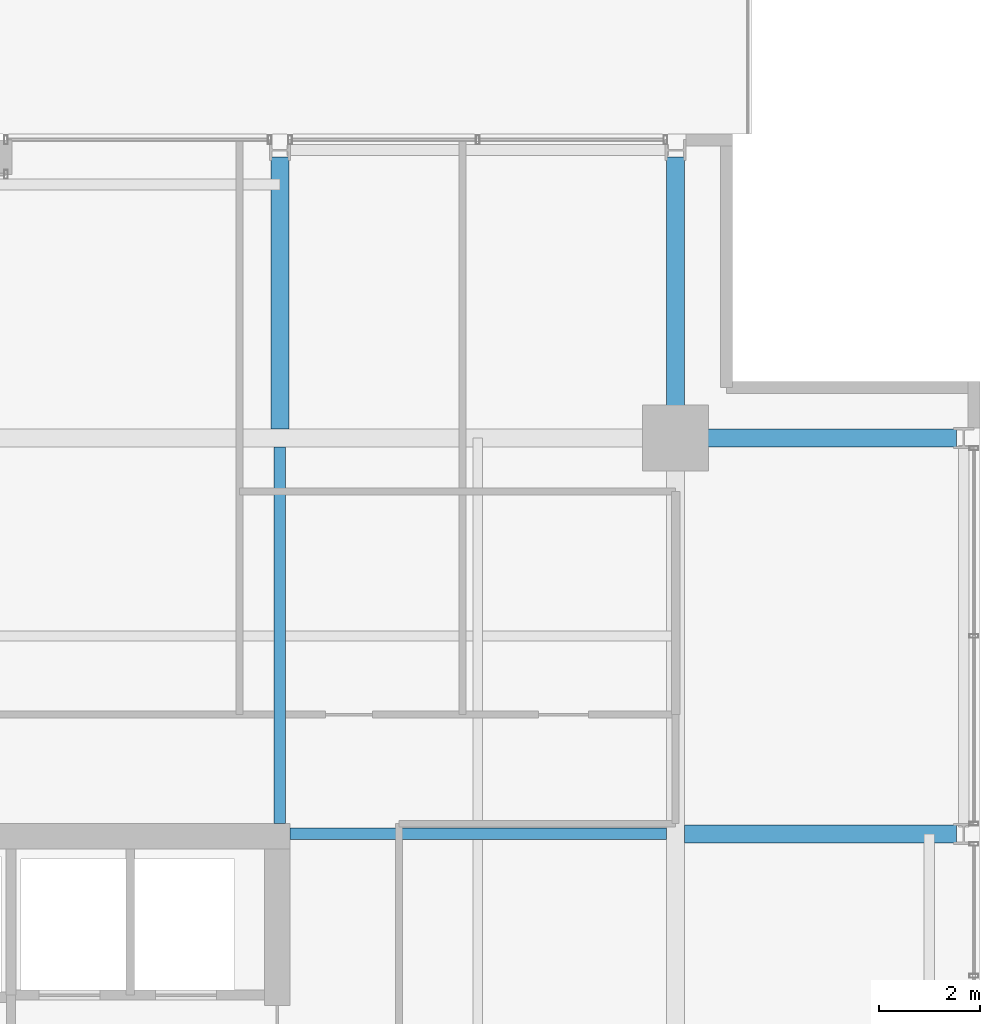
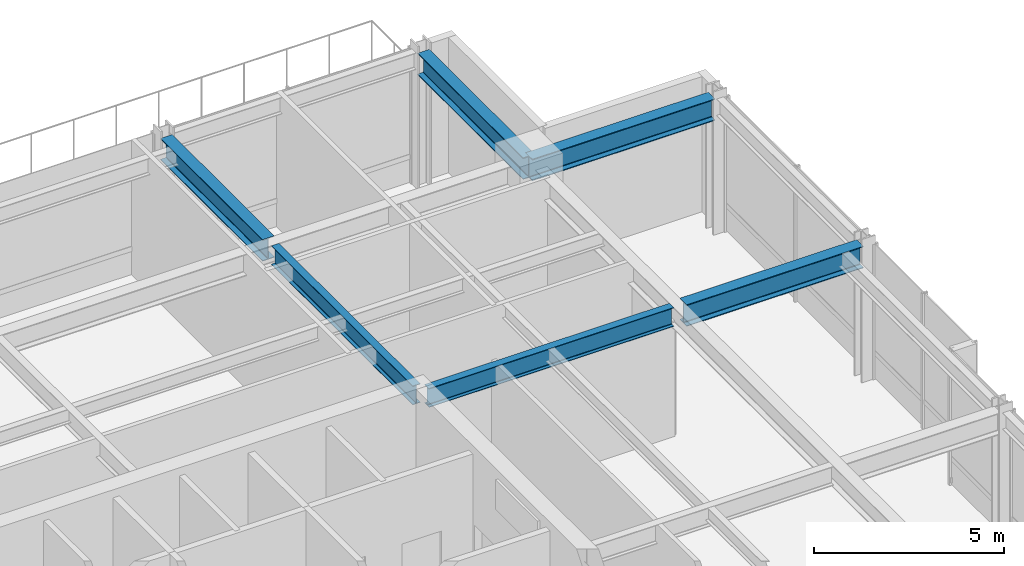
# One storey, part 23 of 32: 6 beams.
"""IFC4 building model written with IfcOpenShell, lengths in metres."""

import ifcopenshell
import ifcopenshell.guid

model = None  # the IFC model being written
_history = None  # IfcOwnerHistory: only IFC2X3 demands one
_inside = {}  # id of a spatial element -> (the spatial element, [elements in it])
_under = {}  # id of a project, library or spatial element -> (it, [spatial elements below it])
_declared = {}  # id of a project -> (the project, [libraries it declares])
_typed = {}  # id of a type object -> (the type object, [elements of that type])
_made_of = {}  # id of a material, layer set ... -> (it, [elements and type objects made of it])


def new_model(schema):
    """Start an empty IFC model of exactly this schema.

    Asked for "IFC4X3", IfcOpenShell would pick the latest addendum, in which some entities
    have other attributes; the version numbers below select the first issue.
    IFC2X3 requires an IfcOwnerHistory on every rooted entity: one is made here for all.
    """
    global model, _history
    if schema == "IFC4X3":
        model = ifcopenshell.file(schema_version=(4, 3, 0, 0))
    else:
        model = ifcopenshell.file(schema=schema)
    _inside.clear()
    _under.clear()
    _declared.clear()
    _typed.clear()
    _made_of.clear()
    _history = None
    if model.schema == "IFC2X3":
        org = make("IfcOrganization", Name="unknown")
        user = make(
            "IfcPersonAndOrganization",
            ThePerson=make("IfcPerson", FamilyName="unknown"),
            TheOrganization=org,
        )
        app = make(
            "IfcApplication",
            ApplicationDeveloper=org,
            Version="unknown",
            ApplicationFullName="unknown",
            ApplicationIdentifier="unknown",
        )
        _history = make(
            "IfcOwnerHistory",
            OwningUser=user,
            OwningApplication=app,
            ChangeAction="ADDED",
            CreationDate=0,
        )
    return model


def make(cls, **values):
    """One entity of the class cls with the attributes given. An attribute that is None is left unset."""
    return model.create_entity(
        cls, **{name: value for name, value in values.items() if value is not None}
    )


def rooted(cls, **values):
    """An entity with a GlobalId (a new one), such as an element, a storey or a relation."""
    return make(cls, GlobalId=ifcopenshell.guid.new(), OwnerHistory=_history, **values)


def si_unit(unit_type, name, prefix=None):
    """IfcSIUnit, for example si_unit("LENGTHUNIT", "METRE", prefix="MILLI")."""
    return make("IfcSIUnit", UnitType=unit_type, Prefix=prefix, Name=name)


def assignment(units):
    """IfcUnitAssignment: the units of a project."""
    return None if units is None else make("IfcUnitAssignment", Units=units)


def point(xyz):
    """IfcCartesianPoint."""
    return None if xyz is None else make("IfcCartesianPoint", Coordinates=xyz)


def direction(xyz):
    """IfcDirection."""
    return None if xyz is None else make("IfcDirection", DirectionRatios=xyz)


def frame(location, z_axis=None, x_axis=None):
    """IfcAxis2Placement3D, a coordinate frame: its origin and axes. An axis left out is left unset."""
    return make(
        "IfcAxis2Placement3D",
        Location=point(location),
        Axis=direction(z_axis),
        RefDirection=direction(x_axis),
    )


def frame_2d(location, x_axis=None):
    """IfcAxis2Placement2D, a coordinate frame in the plane: its origin and x axis."""
    return make(
        "IfcAxis2Placement2D", Location=point(location), RefDirection=direction(x_axis)
    )


def origin():
    """The frame at (0, 0, 0) with its axes left unset."""
    return frame((0.0, 0.0, 0.0))


def origin_2d():
    """The frame at (0, 0) in the plane with its x axis left unset."""
    return frame_2d((0.0, 0.0))


def place(relative_to, where):
    """IfcLocalPlacement: puts the frame where relative to a parent placement (None: the world)."""
    return make(
        "IfcLocalPlacement", PlacementRelTo=relative_to, RelativePlacement=where
    )


def context(
    kind, dimensions, precision=None, world=None, true_north=None, identifier=None
):
    """IfcGeometricRepresentationContext, for example the 3D "Model" context."""
    return make(
        "IfcGeometricRepresentationContext",
        ContextIdentifier=identifier,
        ContextType=kind,
        CoordinateSpaceDimension=dimensions,
        Precision=precision,
        WorldCoordinateSystem=world,
        TrueNorth=true_north,
    )


def subcontext(parent, identifier, kind, view, scale=None):
    """IfcGeometricRepresentationSubContext, for example "Body" below "Model"."""
    return make(
        "IfcGeometricRepresentationSubContext",
        ContextIdentifier=identifier,
        ContextType=kind,
        ParentContext=parent,
        TargetScale=scale,
        TargetView=view,
    )


def project(units=None, contexts=None):
    """IfcProject with its units and contexts."""
    return rooted(
        "IfcProject",
        Name="project",
        RepresentationContexts=contexts,
        UnitsInContext=assignment(units),
    )


def spatial(cls, under=None, at=None, **own):
    """A site, building, storey or space (cls), placed at a placement, below another one or the project."""
    s = rooted(cls, ObjectPlacement=at, **own)
    if under is not None:
        _under.setdefault(under.id(), (under, []))[1].append(s)
    return s


def profile(cls, at=None, kind="AREA", **sizes):
    """A parametric profile (cls). Its sizes go by their IFC names, for example OverallWidth=200.0."""
    return make(cls, ProfileType=kind, Position=at, **sizes)


def i_section(**sizes):
    """IfcIShapeProfileDef."""
    return profile("IfcIShapeProfileDef", **sizes)


def extrude(swept, where, along, depth):
    """IfcExtrudedAreaSolid: the profile swept, set in the frame where, extruded along a direction by depth."""
    return make(
        "IfcExtrudedAreaSolid",
        SweptArea=swept,
        Position=where,
        ExtrudedDirection=direction(along),
        Depth=depth,
    )


def shape(context_of_items, identifier, shape_type, items):
    """IfcShapeRepresentation: the items that make up one representation, for example the "Body"."""
    return make(
        "IfcShapeRepresentation",
        ContextOfItems=context_of_items,
        RepresentationIdentifier=identifier,
        RepresentationType=shape_type,
        Items=items,
    )


def material(Name=None, Category=None):
    """IfcMaterial."""
    return make("IfcMaterial", Name=Name, Category=Category)


def material_profile(
    of_material, cross_section, Name=None, Category=None, Priority=None
):
    """IfcMaterialProfile: a cross section and its material."""
    return make(
        "IfcMaterialProfile",
        Name=Name,
        Material=of_material,
        Profile=cross_section,
        Priority=Priority,
        Category=Category,
    )


def profile_set(profiles, Name=None, composite=None):
    """IfcMaterialProfileSet."""
    return make(
        "IfcMaterialProfileSet",
        Name=Name,
        MaterialProfiles=profiles,
        CompositeProfile=composite,
    )


def made_of(thing, what):
    """Note that an element or type object is made of a material, layer set ...; save() writes the relation."""
    if what is not None:
        _made_of.setdefault(what.id(), (what, []))[1].append(thing)
    return thing


def type_object(cls, material=None, **own):
    """A type object (cls), such as IfcWallType, which elements share."""
    return made_of(rooted(cls, **own), material)


def element(
    cls,
    number,
    at=None,
    inside=None,
    cuts=None,
    type_object=None,
    material=None,
    context=None,
    identifier="Body",
    shape_type=None,
    held_by="IfcProductDefinitionShape",
    body=None,
    shapes=None,
    **own,
):
    """One element of the class cls, such as IfcWall. Its Tag is "e" and its number.

    at: its placement. inside: the storey or other place that contains it. cuts: it is an
    opening in that element (IfcRelVoidsElement). A single representation is given by context,
    identifier, shape_type and body (its items); several are given by shapes. held_by: the class
    of the entity that holds the representations. save() writes the other relations.
    """
    e = rooted(cls, Tag="e%d" % number, ObjectPlacement=at, **own)
    if body is not None:
        shapes = [shape(context, identifier, shape_type, body)]
    if shapes is not None:
        e.Representation = make(held_by, Representations=shapes)
    if inside is not None:
        _inside.setdefault(inside.id(), (inside, []))[1].append(e)
    if cuts is not None:
        rooted(
            "IfcRelVoidsElement", RelatingBuildingElement=cuts, RelatedOpeningElement=e
        )
    if type_object is not None:
        _typed.setdefault(type_object.id(), (type_object, []))[1].append(e)
    return made_of(e, material)


def aggregate(whole, parts):
    """IfcRelAggregates: a whole, such as a stair, and the parts it consists of."""
    return rooted("IfcRelAggregates", RelatingObject=whole, RelatedObjects=parts)


def save(model, path):
    """Write the relations noted so far, then the file.

    IfcRelAggregates (storeys below a building ...), IfcRelContainedInSpatialStructure (elements
    in a storey), IfcRelDefinesByType, IfcRelAssociatesMaterial and IfcRelDeclares: one each for
    every whole, place, type object, material and project.
    """
    for whole, parts in _under.values():
        aggregate(whole, parts)
    for where, things in _inside.values():
        rooted(
            "IfcRelContainedInSpatialStructure",
            RelatedElements=things,
            RelatingStructure=where,
        )
    for kind, things in _typed.values():
        rooted("IfcRelDefinesByType", RelatedObjects=things, RelatingType=kind)
    for what, things in _made_of.values():
        rooted("IfcRelAssociatesMaterial", RelatedObjects=things, RelatingMaterial=what)
    for by, libraries in _declared.values():
        rooted("IfcRelDeclares", RelatingContext=by, RelatedDefinitions=libraries)
    model.write(path)


model = new_model("IFC4")

# Units and contexts
model_context = context("Model", 3, precision=1e-05, world=origin(), true_north=direction((0.0, 1.0)))
body_context = subcontext(model_context, "Body", "Model", "MODEL_VIEW")
ifc_project = project(units=[si_unit("LENGTHUNIT", "METRE"), si_unit("AREAUNIT", "SQUARE_METRE"), si_unit("VOLUMEUNIT", "CUBIC_METRE"), si_unit("PLANEANGLEUNIT", "RADIAN"), si_unit("MASSUNIT", "GRAM", prefix="KILO")], contexts=[model_context])

# Site, building, storey
site_placement = place(None, origin())
site = spatial("IfcSite", under=ifc_project, at=site_placement, CompositionType="ELEMENT")
building_placement = place(site_placement, origin())
building = spatial("IfcBuilding", under=site, at=building_placement, Name="Drelvath Grand Hotel", CompositionType="ELEMENT")
storey_placement = place(building_placement, frame((0.0, 0.0, 145.800048828125)))
storey = spatial("IfcBuildingStorey", under=building, at=storey_placement, Name="L37", CompositionType="ELEMENT", Elevation=145.800048828125)

# Beams
ifc_material = material(Name="Steel ASTM A992 Gr 50", Category="steel")
ifc_material_profile_1 = material_profile(ifc_material, i_section(OverallWidth=0.228271484375, OverallDepth=0.607666015625, WebThickness=0.01123046875, FlangeThickness=0.017333984375, FilletRadius=0.02001953125, at=origin_2d()), Name="W24X76")
ifc_profile_set_1 = profile_set([ifc_material_profile_1], Name="Steel ASTM A992 Gr 50")
beam_type_1 = type_object("IfcBeamType", Name="Primary Floor Girder W24X76", PredefinedType="BEAM", material=ifc_profile_set_1)
for number, where, z_axis, x_axis, name in (
    (1, (8.60009765625, 35.39990234375, 4.0361328125), (1.0, 0.0, 0.0), (0.0, 1.0, 0.0), "L37 East Core Tie F"),
    (2, (8.39990234375, 35.60009765625, 4.0361328125), (0.0, 1.0, 0.0), (-1.0, 0.0, 0.0), "L37 North Core Tie 6"),
):
    element("IfcBeam", number, at=place(storey_placement, frame(where, z_axis=z_axis, x_axis=x_axis)), inside=storey, type_object=beam_type_1, Name=name, PredefinedType="BEAM", context=body_context, shape_type="SweptSolid", body=[
        extrude(i_section(OverallWidth=0.228271484375, OverallDepth=0.607666015625, WebThickness=0.01123046875, FlangeThickness=0.017333984375, FilletRadius=0.02001953125, at=origin_2d()), origin(), (0.0, 0.0, 1.0), 7.422607421875),
    ])
ifc_material_profile_2 = material_profile(ifc_material, i_section(OverallWidth=0.354736328125, OverallDepth=0.695556640625, WebThickness=0.015380859375, FlangeThickness=0.025146484375, FilletRadius=0.02392578125, at=origin_2d()), Name="W27X146")
ifc_profile_set_2 = profile_set([ifc_material_profile_2], Name="Steel ASTM A992 Gr 50")
beam_type_2 = type_object("IfcBeamType", Name="Primary Floor Girder W27X146", PredefinedType="BEAM", material=ifc_profile_set_2)
beam_1_placement = place(storey_placement, frame((16.199951171875, 43.199951171875, 3.9921875), z_axis=(1.0, 0.0, 0.0), x_axis=(0.0, 1.0, 0.0)))
element("IfcBeam", 3, at=beam_1_placement, inside=storey, type_object=beam_type_2, Name="L37 East Grid Girder G", PredefinedType="BEAM", context=body_context, shape_type="SweptSolid", body=[
    extrude(i_section(OverallWidth=0.354736328125, OverallDepth=0.695556640625, WebThickness=0.015380859375, FlangeThickness=0.025146484375, FilletRadius=0.02392578125, at=origin_2d()), origin(), (0.0, 0.0, 1.0), 5.5400390625),
])
beam_2_placement = place(storey_placement, frame((16.37744140625, 35.39990234375, 3.9921875), z_axis=(1.0, 0.0, 0.0), x_axis=(0.0, 1.0, 0.0)))
element("IfcBeam", 4, at=beam_2_placement, inside=storey, type_object=beam_type_2, Name="L37 East Wing Girder F", PredefinedType="BEAM", context=body_context, shape_type="SweptSolid", body=[
    extrude(i_section(OverallWidth=0.354736328125, OverallDepth=0.695556640625, WebThickness=0.015380859375, FlangeThickness=0.025146484375, FilletRadius=0.02392578125, at=origin_2d()), origin(), (0.0, 0.0, 1.0), 5.362548828125),
])
beam_3_placement = place(storey_placement, frame((16.199951171875, 43.199951171875, 3.9921875), z_axis=(0.0, 1.0, 0.0), x_axis=(-1.0, 0.0, 0.0)))
element("IfcBeam", 5, at=beam_3_placement, inside=storey, type_object=beam_type_2, Name="L37 North Grid Girder 7", PredefinedType="BEAM", context=body_context, shape_type="SweptSolid", body=[
    extrude(i_section(OverallWidth=0.354736328125, OverallDepth=0.695556640625, WebThickness=0.015380859375, FlangeThickness=0.025146484375, FilletRadius=0.02392578125, at=origin_2d()), origin(), (0.0, 0.0, 1.0), 5.5400390625),
])
beam_4_placement = place(storey_placement, frame((8.39990234375, 43.37744140625, 3.9921875), z_axis=(0.0, 1.0, 0.0), x_axis=(-1.0, 0.0, 0.0)))
element("IfcBeam", 6, at=beam_4_placement, inside=storey, type_object=beam_type_2, Name="L37 North Wing Girder 6", PredefinedType="BEAM", context=body_context, shape_type="SweptSolid", body=[
    extrude(i_section(OverallWidth=0.354736328125, OverallDepth=0.695556640625, WebThickness=0.015380859375, FlangeThickness=0.025146484375, FilletRadius=0.02392578125, at=origin_2d()), origin(), (0.0, 0.0, 1.0), 5.362548828125),
])

save(model, "model.ifc")
